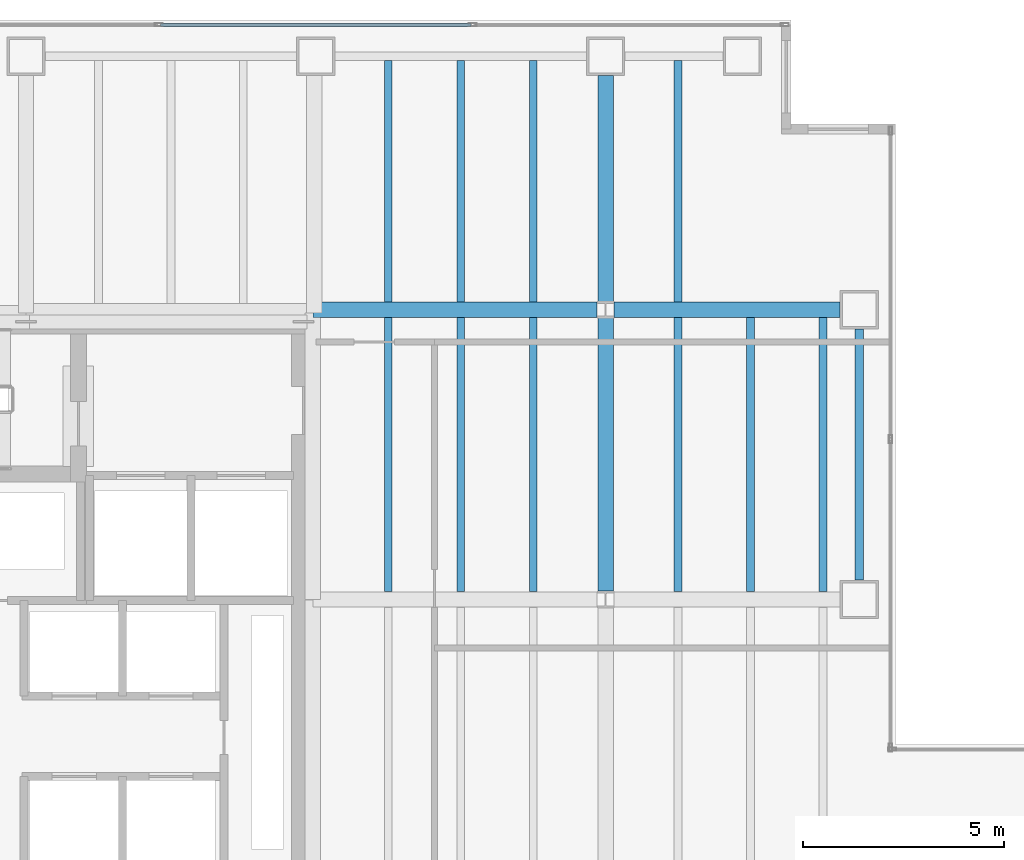
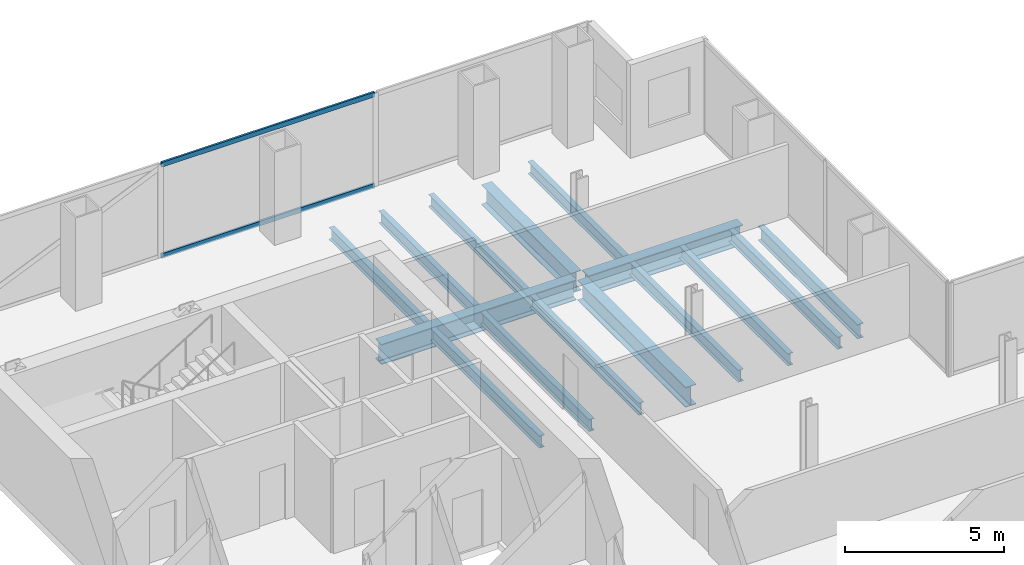
# One storey, part 17 of 23: 15 beams, 2 members, 1 element without a shape of its own.
"""IFC4 building model written with IfcOpenShell, lengths in metres."""

from ifc_helpers import new_model, si_unit, direction, frame, origin, origin_2d, place, context, subcontext, project, spatial, hollow_rectangle, i_section, extrude, material, material_profile, profile_set, type_object, element, aggregate, save


model = new_model("IFC4")

# Units and contexts
model_context = context("Model", 3, precision=1e-05, world=origin(), true_north=direction((0.0, 1.0)))
body_context = subcontext(model_context, "Body", "Model", "MODEL_VIEW")
ifc_project = project(units=[si_unit("LENGTHUNIT", "METRE"), si_unit("AREAUNIT", "SQUARE_METRE"), si_unit("VOLUMEUNIT", "CUBIC_METRE"), si_unit("PLANEANGLEUNIT", "RADIAN"), si_unit("MASSUNIT", "GRAM", prefix="KILO")], contexts=[model_context])

# Site, building, storey
site_placement = place(None, origin())
site = spatial("IfcSite", under=ifc_project, at=site_placement, CompositionType="ELEMENT")
building_placement = place(site_placement, origin())
building = spatial("IfcBuilding", under=site, at=building_placement, Name="Cobrela Telecom Tower", CompositionType="ELEMENT")
storey_placement = place(building_placement, frame((0.0, 0.0, 88.89990234375)))
storey = spatial("IfcBuildingStorey", under=building, at=storey_placement, Name="L22", CompositionType="ELEMENT", Elevation=88.89990234375)

# Beams
ifc_material_1 = material(Name="Steel ASTM A992 Grade 50", Category="steel")
ifc_material_profile_1 = material_profile(ifc_material_1, i_section(OverallWidth=0.381103515625, OverallDepth=0.77197265625, WebThickness=0.0166015625, FlangeThickness=0.027099609375, FilletRadius=0.01904296875, at=origin_2d()), Name="W30X173")
ifc_profile_set_1 = profile_set([ifc_material_profile_1], Name="Steel ASTM A992 Grade 50")
beam_type_1 = type_object("IfcBeamType", Name="BM-GIRD-04", PredefinedType="USERDEFINED", material=ifc_profile_set_1)
beam_1_placement = place(storey_placement, frame((14.324951171875, 36.0, -0.666015625), z_axis=(1.0, 0.0, 0.0), x_axis=(0.0, 1.0, 0.0)))
element("IfcBeam", 1, at=beam_1_placement, inside=storey, type_object=beam_type_1, Name="L22 Primary Girder X27", ObjectType="GIRDER", PredefinedType="USERDEFINED", context=body_context, shape_type="SweptSolid", body=[
    extrude(i_section(OverallWidth=0.381103515625, OverallDepth=0.77197265625, WebThickness=0.0166015625, FlangeThickness=0.027099609375, FilletRadius=0.01904296875, at=origin_2d()), origin(), (0.0, 0.0, 1.0), 7.0654296875),
])
beam_2_placement = place(storey_placement, frame((21.8095703125, 36.0, -0.666015625), z_axis=(1.0, 0.0, 0.0), x_axis=(0.0, 1.0, 0.0)))
element("IfcBeam", 2, at=beam_2_placement, inside=storey, type_object=beam_type_1, Name="L22 Primary Girder X28", ObjectType="GIRDER", PredefinedType="USERDEFINED", context=body_context, shape_type="SweptSolid", body=[
    extrude(i_section(OverallWidth=0.381103515625, OverallDepth=0.77197265625, WebThickness=0.0166015625, FlangeThickness=0.027099609375, FilletRadius=0.01904296875, at=origin_2d()), origin(), (0.0, 0.0, 1.0), 5.6103515625),
])
beam_3_placement = place(storey_placement, frame((21.60009765625, 29.009521484375, -0.666015625), z_axis=(0.0, 1.0, 0.0), x_axis=(-1.0, 0.0, 0.0)))
element("IfcBeam", 3, at=beam_3_placement, inside=storey, type_object=beam_type_1, Name="L22 Primary Girder Y44", ObjectType="GIRDER", PredefinedType="USERDEFINED", context=body_context, shape_type="SweptSolid", body=[
    extrude(i_section(OverallWidth=0.381103515625, OverallDepth=0.77197265625, WebThickness=0.0166015625, FlangeThickness=0.027099609375, FilletRadius=0.01904296875, at=origin_2d()), origin(), (0.0, 0.0, 1.0), 6.781005859375),
])
beam_4_placement = place(storey_placement, frame((21.60009765625, 36.20947265625, -0.666015625), z_axis=(0.0, 1.0, 0.0), x_axis=(-1.0, 0.0, 0.0)))
element("IfcBeam", 4, at=beam_4_placement, inside=storey, type_object=beam_type_1, Name="L22 Primary Girder Y45", ObjectType="GIRDER", PredefinedType="USERDEFINED", context=body_context, shape_type="SweptSolid", body=[
    extrude(i_section(OverallWidth=0.381103515625, OverallDepth=0.77197265625, WebThickness=0.0166015625, FlangeThickness=0.027099609375, FilletRadius=0.01904296875, at=origin_2d()), origin(), (0.0, 0.0, 1.0), 5.610595703125),
])
ifc_material_profile_2 = material_profile(ifc_material_1, i_section(OverallWidth=0.193115234375, OverallDepth=0.467041015625, WebThickness=0.011474609375, FlangeThickness=0.01904296875, FilletRadius=0.012939453125, at=origin_2d()), Name="W18X65")
ifc_profile_set_2 = profile_set([ifc_material_profile_2], Name="Steel ASTM A992 Grade 50")
beam_type_2 = type_object("IfcBeamType", Name="BM-JOIST-03", PredefinedType="JOIST", material=ifc_profile_set_2)
beam_5_placement = place(storey_placement, frame((16.199951171875, 28.99560546875, -0.513427734375), z_axis=(0.0, 1.0, 0.0), x_axis=(-1.0, 0.0, 0.0)))
element("IfcBeam", 5, at=beam_5_placement, inside=storey, type_object=beam_type_2, Name="L22 Secondary Composite Floor Beam J11", PredefinedType="JOIST", context=body_context, shape_type="SweptSolid", body=[
    extrude(i_section(OverallWidth=0.193115234375, OverallDepth=0.467041015625, WebThickness=0.011474609375, FlangeThickness=0.01904296875, FilletRadius=0.012939453125, at=origin_2d()), origin(), (0.0, 0.0, 1.0), 6.808837890625),
])
beam_6_placement = place(storey_placement, frame((16.199951171875, 36.195556640625, -0.513427734375), z_axis=(0.0, 1.0, 0.0), x_axis=(-1.0, 0.0, 0.0)))
element("IfcBeam", 6, at=beam_6_placement, inside=storey, type_object=beam_type_2, Name="L22 Secondary Composite Floor Beam J12", PredefinedType="JOIST", context=body_context, shape_type="SweptSolid", body=[
    extrude(i_section(OverallWidth=0.193115234375, OverallDepth=0.467041015625, WebThickness=0.011474609375, FlangeThickness=0.01904296875, FilletRadius=0.012939453125, at=origin_2d()), origin(), (0.0, 0.0, 1.0), 5.992919921875),
])
beam_7_placement = place(storey_placement, frame((18.0, 28.99560546875, -0.513427734375), z_axis=(0.0, 1.0, 0.0), x_axis=(-1.0, 0.0, 0.0)))
element("IfcBeam", 7, at=beam_7_placement, inside=storey, type_object=beam_type_2, Name="L22 Secondary Composite Floor Beam J17", PredefinedType="JOIST", context=body_context, shape_type="SweptSolid", body=[
    extrude(i_section(OverallWidth=0.193115234375, OverallDepth=0.467041015625, WebThickness=0.011474609375, FlangeThickness=0.01904296875, FilletRadius=0.012939453125, at=origin_2d()), origin(), (0.0, 0.0, 1.0), 6.808837890625),
])
beam_8_placement = place(storey_placement, frame((18.0, 36.195556640625, -0.513427734375), z_axis=(0.0, 1.0, 0.0), x_axis=(-1.0, 0.0, 0.0)))
element("IfcBeam", 8, at=beam_8_placement, inside=storey, type_object=beam_type_2, Name="L22 Secondary Composite Floor Beam J18", PredefinedType="JOIST", context=body_context, shape_type="SweptSolid", body=[
    extrude(i_section(OverallWidth=0.193115234375, OverallDepth=0.467041015625, WebThickness=0.011474609375, FlangeThickness=0.01904296875, FilletRadius=0.012939453125, at=origin_2d()), origin(), (0.0, 0.0, 1.0), 5.992919921875),
])
beam_9_placement = place(storey_placement, frame((19.800048828125, 28.99560546875, -0.513427734375), z_axis=(0.0, 1.0, 0.0), x_axis=(-1.0, 0.0, 0.0)))
element("IfcBeam", 9, at=beam_9_placement, inside=storey, type_object=beam_type_2, Name="L22 Secondary Composite Floor Beam J23", PredefinedType="JOIST", context=body_context, shape_type="SweptSolid", body=[
    extrude(i_section(OverallWidth=0.193115234375, OverallDepth=0.467041015625, WebThickness=0.011474609375, FlangeThickness=0.01904296875, FilletRadius=0.012939453125, at=origin_2d()), origin(), (0.0, 0.0, 1.0), 6.808837890625),
])
beam_10_placement = place(storey_placement, frame((19.800048828125, 36.195556640625, -0.513427734375), z_axis=(0.0, 1.0, 0.0), x_axis=(-1.0, 0.0, 0.0)))
element("IfcBeam", 10, at=beam_10_placement, inside=storey, type_object=beam_type_2, Name="L22 Secondary Composite Floor Beam J24", PredefinedType="JOIST", context=body_context, shape_type="SweptSolid", body=[
    extrude(i_section(OverallWidth=0.193115234375, OverallDepth=0.467041015625, WebThickness=0.011474609375, FlangeThickness=0.01904296875, FilletRadius=0.012939453125, at=origin_2d()), origin(), (0.0, 0.0, 1.0), 5.992919921875),
])
beam_11_placement = place(storey_placement, frame((23.39990234375, 28.99560546875, -0.513427734375), z_axis=(0.0, 1.0, 0.0), x_axis=(-1.0, 0.0, 0.0)))
element("IfcBeam", 11, at=beam_11_placement, inside=storey, type_object=beam_type_2, Name="L22 Secondary Composite Floor Beam J29", PredefinedType="JOIST", context=body_context, shape_type="SweptSolid", body=[
    extrude(i_section(OverallWidth=0.193115234375, OverallDepth=0.467041015625, WebThickness=0.011474609375, FlangeThickness=0.01904296875, FilletRadius=0.012939453125, at=origin_2d()), origin(), (0.0, 0.0, 1.0), 6.808837890625),
])
beam_12_placement = place(storey_placement, frame((23.39990234375, 36.195556640625, -0.513427734375), z_axis=(0.0, 1.0, 0.0), x_axis=(-1.0, 0.0, 0.0)))
element("IfcBeam", 12, at=beam_12_placement, inside=storey, type_object=beam_type_2, Name="L22 Secondary Composite Floor Beam J30", PredefinedType="JOIST", context=body_context, shape_type="SweptSolid", body=[
    extrude(i_section(OverallWidth=0.193115234375, OverallDepth=0.467041015625, WebThickness=0.011474609375, FlangeThickness=0.01904296875, FilletRadius=0.012939453125, at=origin_2d()), origin(), (0.0, 0.0, 1.0), 5.992919921875),
])
for number, where, z_axis, x_axis, name in (
    (13, (25.199951171875, 28.99560546875, -0.513427734375), (0.0, 1.0, 0.0), (-1.0, 0.0, 0.0), "L22 Secondary Composite Floor Beam J35"),
    (14, (27.0, 28.99560546875, -0.513427734375), (0.0, 1.0, 0.0), (-1.0, 0.0, 0.0), "L22 Secondary Composite Floor Beam J40"),
):
    element("IfcBeam", number, at=place(storey_placement, frame(where, z_axis=z_axis, x_axis=x_axis)), inside=storey, type_object=beam_type_2, Name=name, PredefinedType="JOIST", context=body_context, shape_type="SweptSolid", body=[
        extrude(i_section(OverallWidth=0.193115234375, OverallDepth=0.467041015625, WebThickness=0.011474609375, FlangeThickness=0.01904296875, FilletRadius=0.012939453125, at=origin_2d()), origin(), (0.0, 0.0, 1.0), 6.808837890625),
    ])
ifc_material_profile_3 = material_profile(ifc_material_1, i_section(OverallWidth=0.212890625, OverallDepth=0.549072265625, WebThickness=0.0146484375, FlangeThickness=0.023681640625, FilletRadius=0.013916015625, at=origin_2d()), Name="W21X93")
ifc_profile_set_3 = profile_set([ifc_material_profile_3], Name="Steel ASTM A992 Grade 50")
beam_type_3 = type_object("IfcBeamType", Name="BM-SPAND-03", PredefinedType="SPANDREL", material=ifc_profile_set_3)
beam_13_placement = place(storey_placement, frame((27.89990234375, 29.280029296875, -0.554443359375), z_axis=(0.0, 1.0, 0.0), x_axis=(-1.0, 0.0, 0.0)))
element("IfcBeam", 15, at=beam_13_placement, inside=storey, type_object=beam_type_3, Name="L22 Perimeter Spandrel Y46", PredefinedType="SPANDREL", context=body_context, shape_type="SweptSolid", body=[
    extrude(i_section(OverallWidth=0.212890625, OverallDepth=0.549072265625, WebThickness=0.0146484375, FlangeThickness=0.023681640625, FilletRadius=0.013916015625, at=origin_2d()), origin(), (0.0, 0.0, 1.0), 6.239990234375),
])

# Curtain wall, members
ifc_material_2 = material(Name="Anodized Bronze Aluminium 6063-T6", Category="aluminium")
curtain_wall_type = type_object("IfcCurtainWallType", Name="CW-SYS-DATA", PredefinedType="USERDEFINED", material=ifc_material_2)
curtain_wall_placement = place(storey_placement, origin())
curtain_wall = element("IfcCurtainWall", 16, at=curtain_wall_placement, inside=storey, type_object=curtain_wall_type, Name="L22 Unitised Bronze Curtain Wall 07", ObjectType="UNITISED CURTAIN WALL", PredefinedType="USERDEFINED")
ifc_material_profile_4 = material_profile(ifc_material_2, hollow_rectangle(XDim=0.074951171875, YDim=0.179931640625, WallThickness=0.00390625, at=origin_2d()), Name="ALU 75x180x4")
ifc_profile_set_4 = profile_set([ifc_material_profile_4], Name="Anodized Bronze Aluminium 6063-T6")
member_type = type_object("IfcMemberType", Name="CW-SYS-DATA-TRN", PredefinedType="USERDEFINED", material=ifc_profile_set_4)
member_1_placement = place(storey_placement, frame((10.543212890625, 43.080078125, 0.03759765625), z_axis=(1.0, 0.0, 0.0), x_axis=(0.0, 1.0, 0.0)))
member_1 = element("IfcMember", 17, at=member_1_placement, type_object=member_type, Name="CW-DATA transom 2.1", ObjectType="TRANSOM", PredefinedType="USERDEFINED", context=body_context, shape_type="SweptSolid", body=[
    extrude(hollow_rectangle(XDim=0.074951171875, YDim=0.179931640625, WallThickness=0.00390625, at=origin_2d()), origin(), (0.0, 0.0, 1.0), 7.71337890625),
])
member_2_placement = place(storey_placement, frame((10.543212890625, 43.080078125, 3.53271484375), z_axis=(1.0, 0.0, 0.0), x_axis=(0.0, 1.0, 0.0)))
member_2 = element("IfcMember", 18, at=member_2_placement, type_object=member_type, Name="CW-DATA transom 2.2", ObjectType="TRANSOM", PredefinedType="USERDEFINED", context=body_context, shape_type="SweptSolid", body=[
    extrude(hollow_rectangle(XDim=0.074951171875, YDim=0.179931640625, WallThickness=0.00390625, at=origin_2d()), origin(), (0.0, 0.0, 1.0), 7.71337890625),
])
aggregate(curtain_wall, [member_1, member_2])

save(model, "model.ifc")
